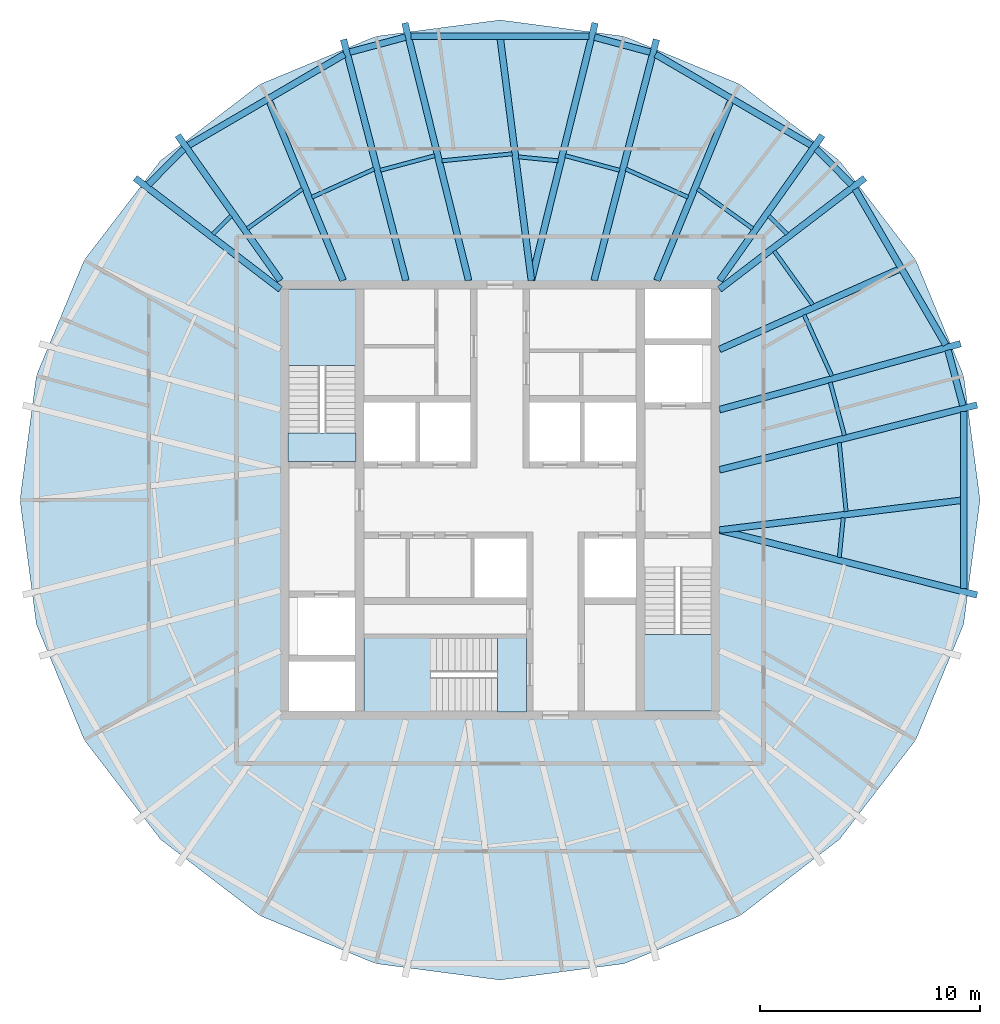
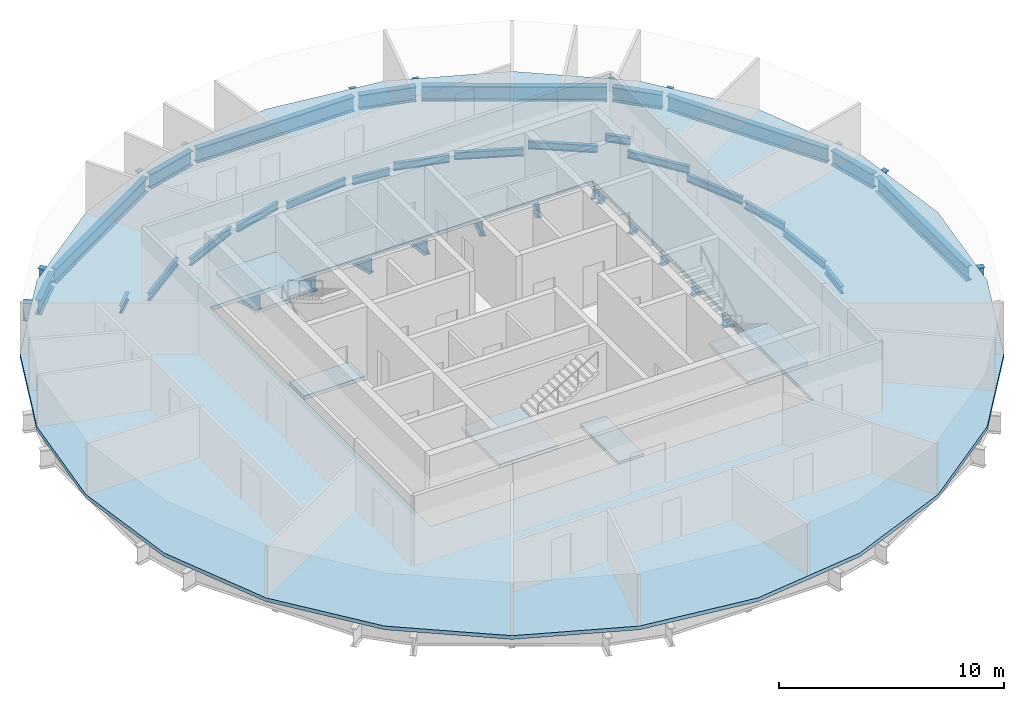
# One storey, part 2 of 7: 41 beams, 6 slabs, 3 elements without a shape of their own.
"""IFC4 building model written with IfcOpenShell, lengths in metres."""

from ifc_helpers import new_model, si_unit, direction, frame, origin, origin_2d, place, context, subcontext, project, spatial, polyline, i_section, outline, extrude, material, layer, layer_set, material_profile, profile_set, type_object, element, aggregate, save


model = new_model("IFC4")

# Units and contexts
model_context = context("Model", 3, precision=1e-05, world=origin(), true_north=direction((0.0, 1.0)))
body_context = subcontext(model_context, "Body", "Model", "MODEL_VIEW")
ifc_project = project(units=[si_unit("LENGTHUNIT", "METRE"), si_unit("AREAUNIT", "SQUARE_METRE"), si_unit("VOLUMEUNIT", "CUBIC_METRE"), si_unit("PLANEANGLEUNIT", "RADIAN"), si_unit("MASSUNIT", "GRAM", prefix="KILO")], contexts=[model_context])

# Site, building, storey
site_placement = place(None, origin())
site = spatial("IfcSite", under=ifc_project, at=site_placement, CompositionType="ELEMENT")
building_placement = place(site_placement, origin())
building = spatial("IfcBuilding", under=site, at=building_placement, Name="Golbaran Civic Tower", CompositionType="ELEMENT")
storey_placement = place(building_placement, frame((0.0, 0.0, 268.0)))
storey = spatial("IfcBuildingStorey", under=building, at=storey_placement, Name="L65", CompositionType="ELEMENT", Elevation=268.0)

# Beams
ifc_material_1 = material(Name="Steel S355", Category="steel")
ifc_material_profile_1 = material_profile(ifc_material_1, i_section(OverallWidth=0.300048828125, OverallDepth=0.800048828125, WebThickness=0.017578125, FlangeThickness=0.032958984375, FilletRadius=0.030029296875, at=origin_2d()), Name="HEB 800")
ifc_profile_set_1 = profile_set([ifc_material_profile_1], Name="Steel S355")
beam_type_1 = type_object("IfcBeamType", Name="EDGE BEAM HEB 800", PredefinedType="BEAM", material=ifc_profile_set_1)
beam_1_placement = place(storey_placement, frame((21.078857421875, 4.299560546875, -0.60009765625), z_axis=(-0.258992659124, 0.965879289829, 0.0), x_axis=(-0.965879289829, -0.258992659124, 0.0)))
element("IfcBeam", 1, at=beam_1_placement, inside=storey, type_object=beam_type_1, Name="Edge beam 11.33 L65", PredefinedType="BEAM", context=body_context, shape_type="SweptSolid", body=[
    extrude(i_section(OverallWidth=0.300048828125, OverallDepth=0.800048828125, WebThickness=0.017578125, FlangeThickness=0.032958984375, FilletRadius=0.030029296875, at=origin_2d()), origin(), (0.0, 0.0, 1.0), 2.615966796875),
])
beam_2_placement = place(storey_placement, frame((20.300048828125, 7.06787109375, -0.60009765625), z_axis=(-0.502921471552, 0.864332108308, 0.0), x_axis=(-0.864332108308, -0.502921471552, 0.0)))
element("IfcBeam", 2, at=beam_2_placement, inside=storey, type_object=beam_type_1, Name="Edge beam 18.67 L65", PredefinedType="BEAM", context=body_context, shape_type="SweptSolid", body=[
    extrude(i_section(OverallWidth=0.300048828125, OverallDepth=0.800048828125, WebThickness=0.017578125, FlangeThickness=0.032958984375, FilletRadius=0.030029296875, at=origin_2d()), origin(), (0.0, 0.0, 1.0), 8.20361328125),
])
beam_3_placement = place(storey_placement, frame((16.015869140625, 14.364501953125, -0.60009765625), z_axis=(-0.706414088255, 0.707798796209, 0.0), x_axis=(-0.707798796209, -0.706414088255, 0.0)))
element("IfcBeam", 3, at=beam_3_placement, inside=storey, type_object=beam_type_1, Name="Edge beam 41.33 L65", PredefinedType="BEAM", context=body_context, shape_type="SweptSolid", body=[
    extrude(i_section(OverallWidth=0.300048828125, OverallDepth=0.800048828125, WebThickness=0.017578125, FlangeThickness=0.032958984375, FilletRadius=0.030029296875, at=origin_2d()), origin(), (0.0, 0.0, 1.0), 2.2919921875),
])
beam_4_placement = place(storey_placement, frame((14.19091796875, 16.14599609375, -0.60009765625), z_axis=(-0.863649754301, 0.50409235453, 0.0), x_axis=(-0.50409235453, -0.863649754301, 0.0)))
element("IfcBeam", 4, at=beam_4_placement, inside=storey, type_object=beam_type_1, Name="Edge beam 48.67 L65", PredefinedType="BEAM", context=body_context, shape_type="SweptSolid", body=[
    extrude(i_section(OverallWidth=0.300048828125, OverallDepth=0.800048828125, WebThickness=0.017578125, FlangeThickness=0.032958984375, FilletRadius=0.030029296875, at=origin_2d()), origin(), (0.0, 0.0, 1.0), 8.2294921875),
])
beam_5_placement = place(storey_placement, frame((6.84130859375, 20.396240234375, -0.60009765625), z_axis=(-0.965745754414, 0.259490149776, 0.0), x_axis=(-0.259490149776, -0.965745754414, 0.0)))
element("IfcBeam", 5, at=beam_5_placement, inside=storey, type_object=beam_type_1, Name="Edge beam 71.33 L65", PredefinedType="BEAM", context=body_context, shape_type="SweptSolid", body=[
    extrude(i_section(OverallWidth=0.300048828125, OverallDepth=0.800048828125, WebThickness=0.017578125, FlangeThickness=0.032958984375, FilletRadius=0.030029296875, at=origin_2d()), origin(), (0.0, 0.0, 1.0), 2.626953125),
])
beam_6_placement = place(storey_placement, frame((4.044921875, 21.111572265625, -0.60009765625), z_axis=(-1.0, 0.0, 0.0), x_axis=(0.0, -1.0, 0.0)))
element("IfcBeam", 6, at=beam_6_placement, inside=storey, type_object=beam_type_1, Name="Edge beam 78.67 L65", PredefinedType="BEAM", context=body_context, shape_type="SweptSolid", body=[
    extrude(i_section(OverallWidth=0.300048828125, OverallDepth=0.800048828125, WebThickness=0.017578125, FlangeThickness=0.032958984375, FilletRadius=0.030029296875, at=origin_2d()), origin(), (0.0, 0.0, 1.0), 8.08984375),
])
beam_7_placement = place(storey_placement, frame((-4.304443359375, 21.077880859375, -0.60009765625), z_axis=(-0.965745754414, -0.259490149776, 0.0), x_axis=(0.259490149776, -0.965745754414, 0.0)))
element("IfcBeam", 7, at=beam_7_placement, inside=storey, type_object=beam_type_1, Name="Edge beam 101.33 L65", PredefinedType="BEAM", context=body_context, shape_type="SweptSolid", body=[
    extrude(i_section(OverallWidth=0.300048828125, OverallDepth=0.800048828125, WebThickness=0.017578125, FlangeThickness=0.032958984375, FilletRadius=0.030029296875, at=origin_2d()), origin(), (0.0, 0.0, 1.0), 2.626953125),
])
beam_8_placement = place(storey_placement, frame((-7.08349609375, 20.29443359375, -0.60009765625), z_axis=(-0.863649754301, -0.50409235453, 0.0), x_axis=(0.50409235453, -0.863649754301, 0.0)))
element("IfcBeam", 8, at=beam_8_placement, inside=storey, type_object=beam_type_1, Name="Edge beam 108.67 L65", PredefinedType="BEAM", context=body_context, shape_type="SweptSolid", body=[
    extrude(i_section(OverallWidth=0.300048828125, OverallDepth=0.800048828125, WebThickness=0.017578125, FlangeThickness=0.032958984375, FilletRadius=0.030029296875, at=origin_2d()), origin(), (0.0, 0.0, 1.0), 8.2294921875),
])
beam_9_placement = place(storey_placement, frame((-14.396728515625, 15.98681640625, -0.60009765625), z_axis=(-0.706414088255, -0.707798796209, 0.0), x_axis=(0.707798796209, -0.706414088255, 0.0)))
element("IfcBeam", 9, at=beam_9_placement, inside=storey, type_object=beam_type_1, Name="Edge beam 131.33 L65", PredefinedType="BEAM", context=body_context, shape_type="SweptSolid", body=[
    extrude(i_section(OverallWidth=0.300048828125, OverallDepth=0.800048828125, WebThickness=0.017578125, FlangeThickness=0.032958984375, FilletRadius=0.030029296875, at=origin_2d()), origin(), (0.0, 0.0, 1.0), 2.2919921875),
])
beam_10_placement = place(storey_placement, frame((21.112548828125, -4.0400390625, -0.60009765625), z_axis=(0.0, 1.0, 0.0), x_axis=(-1.0, 0.0, 0.0)))
element("IfcBeam", 10, at=beam_10_placement, inside=storey, type_object=beam_type_1, Name="Edge beam 348.67 L65", PredefinedType="BEAM", context=body_context, shape_type="SweptSolid", body=[
    extrude(i_section(OverallWidth=0.300048828125, OverallDepth=0.800048828125, WebThickness=0.017578125, FlangeThickness=0.032958984375, FilletRadius=0.030029296875, at=origin_2d()), origin(), (0.0, 0.0, 1.0), 8.080078125),
])
ifc_material_profile_2 = material_profile(ifc_material_1, i_section(OverallWidth=0.179931640625, OverallDepth=0.39990234375, WebThickness=0.008544921875, FlangeThickness=0.013427734375, FilletRadius=0.02099609375, at=origin_2d()), Name="IPE 400")
ifc_profile_set_2 = profile_set([ifc_material_profile_2], Name="Steel S355")
beam_type_2 = type_object("IfcBeamType", Name="FLOOR INFILL BEAM IPE 400", PredefinedType="BEAM", material=ifc_profile_set_2)
beam_11_placement = place(storey_placement, frame((15.761962890625, -0.529296875, -0.39990234375), z_axis=(-0.09869194854, 0.995118032845, 0.0), x_axis=(-0.995118032845, -0.09869194854, 0.0)))
element("IfcBeam", 11, at=beam_11_placement, inside=storey, type_object=beam_type_2, Name="Infill beam 5.67 L65", PredefinedType="BEAM", context=body_context, shape_type="SweptSolid", body=[
    extrude(i_section(OverallWidth=0.179931640625, OverallDepth=0.39990234375, WebThickness=0.008544921875, FlangeThickness=0.013427734375, FilletRadius=0.02099609375, at=origin_2d()), origin(), (0.0, 0.0, 1.0), 3.156494140625),
])
beam_12_placement = place(storey_placement, frame((15.686767578125, 2.939697265625, -0.39990234375), z_axis=(-0.258857919749, 0.965915409021, 0.0), x_axis=(-0.965915409021, -0.258857919749, 0.0)))
element("IfcBeam", 12, at=beam_12_placement, inside=storey, type_object=beam_type_2, Name="Infill beam 15.00 L65", PredefinedType="BEAM", context=body_context, shape_type="SweptSolid", body=[
    extrude(i_section(OverallWidth=0.179931640625, OverallDepth=0.39990234375, WebThickness=0.008544921875, FlangeThickness=0.013427734375, FilletRadius=0.02099609375, at=origin_2d()), origin(), (0.0, 0.0, 1.0), 2.504150390625),
])
beam_13_placement = place(storey_placement, frame((15.108642578125, 5.647216796875, -0.39990234375), z_axis=(-0.412057383587, 0.911157896652, 0.0), x_axis=(-0.911157896652, -0.412057383587, 0.0)))
element("IfcBeam", 13, at=beam_13_placement, inside=storey, type_object=beam_type_2, Name="Infill beam 24.33 L65", PredefinedType="BEAM", context=body_context, shape_type="SweptSolid", body=[
    extrude(i_section(OverallWidth=0.179931640625, OverallDepth=0.39990234375, WebThickness=0.008544921875, FlangeThickness=0.013427734375, FilletRadius=0.02099609375, at=origin_2d()), origin(), (0.0, 0.0, 1.0), 3.057373046875),
])
beam_14_placement = place(storey_placement, frame((14.239501953125, 8.891845703125, -0.39990234375), z_axis=(-0.583070880212, 0.812421287664, 0.0), x_axis=(-0.812421287664, -0.583070880212, 0.0)))
element("IfcBeam", 14, at=beam_14_placement, inside=storey, type_object=beam_type_2, Name="Infill beam 35.67 L65", PredefinedType="BEAM", context=body_context, shape_type="SweptSolid", body=[
    extrude(i_section(OverallWidth=0.179931640625, OverallDepth=0.39990234375, WebThickness=0.008544921875, FlangeThickness=0.013427734375, FilletRadius=0.02099609375, at=origin_2d()), origin(), (0.0, 0.0, 1.0), 3.00927734375),
])
beam_15_placement = place(storey_placement, frame((13.075439453125, 12.11572265625, -0.39990234375), z_axis=(-0.707210683438, 0.707002863666, 0.0), x_axis=(-0.707002863666, -0.707210683438, 0.0)))
element("IfcBeam", 15, at=beam_15_placement, inside=storey, type_object=beam_type_2, Name="Infill beam 45.00 L65", PredefinedType="BEAM", context=body_context, shape_type="SweptSolid", body=[
    extrude(i_section(OverallWidth=0.179931640625, OverallDepth=0.39990234375, WebThickness=0.008544921875, FlangeThickness=0.013427734375, FilletRadius=0.02099609375, at=origin_2d()), origin(), (0.0, 0.0, 1.0), 1.1748046875),
])
beam_16_placement = place(storey_placement, frame((11.509521484375, 12.357666015625, -0.39990234375), z_axis=(-0.812440704579, 0.58304382472, 0.0), x_axis=(-0.58304382472, -0.812440704579, 0.0)))
element("IfcBeam", 16, at=beam_16_placement, inside=storey, type_object=beam_type_2, Name="Infill beam 54.33 L65", PredefinedType="BEAM", context=body_context, shape_type="SweptSolid", body=[
    extrude(i_section(OverallWidth=0.179931640625, OverallDepth=0.39990234375, WebThickness=0.008544921875, FlangeThickness=0.013427734375, FilletRadius=0.02099609375, at=origin_2d()), origin(), (0.0, 0.0, 1.0), 3.0927734375),
])
beam_17_placement = place(storey_placement, frame((8.56298828125, 13.7900390625, -0.39990234375), z_axis=(-0.911161309546, 0.412049836776, 0.0), x_axis=(-0.412049836776, -0.911161309546, 0.0)))
element("IfcBeam", 17, at=beam_17_placement, inside=storey, type_object=beam_type_2, Name="Infill beam 65.67 L65", PredefinedType="BEAM", context=body_context, shape_type="SweptSolid", body=[
    extrude(i_section(OverallWidth=0.179931640625, OverallDepth=0.39990234375, WebThickness=0.008544921875, FlangeThickness=0.013427734375, FilletRadius=0.02099609375, at=origin_2d()), origin(), (0.0, 0.0, 1.0), 3.107177734375),
])
beam_18_placement = place(storey_placement, frame((5.44873046875, 15.01416015625, -0.39990234375), z_axis=(-0.965917074027, 0.258851706779, 0.0), x_axis=(-0.258851706779, -0.965917074027, 0.0)))
element("IfcBeam", 18, at=beam_18_placement, inside=storey, type_object=beam_type_2, Name="Infill beam 75.00 L65", PredefinedType="BEAM", context=body_context, shape_type="SweptSolid", body=[
    extrude(i_section(OverallWidth=0.179931640625, OverallDepth=0.39990234375, WebThickness=0.008544921875, FlangeThickness=0.013427734375, FilletRadius=0.02099609375, at=origin_2d()), origin(), (0.0, 0.0, 1.0), 2.568359375),
])
beam_19_placement = place(storey_placement, frame((2.642822265625, 15.44677734375, -0.39990234375), z_axis=(-0.9951154454, 0.098718034454, 0.0), x_axis=(-0.098718034454, -0.9951154454, 0.0)))
element("IfcBeam", 19, at=beam_19_placement, inside=storey, type_object=beam_type_2, Name="Infill beam 84.33 L65", PredefinedType="BEAM", context=body_context, shape_type="SweptSolid", body=[
    extrude(i_section(OverallWidth=0.179931640625, OverallDepth=0.39990234375, WebThickness=0.008544921875, FlangeThickness=0.013427734375, FilletRadius=0.02099609375, at=origin_2d()), origin(), (0.0, 0.0, 1.0), 1.815185546875),
])
beam_20_placement = place(storey_placement, frame((0.556396484375, 15.76416015625, -0.39990234375), z_axis=(-0.995115078392, -0.098721733967, 0.0), x_axis=(0.098721733967, -0.995115078392, 0.0)))
element("IfcBeam", 20, at=beam_20_placement, inside=storey, type_object=beam_type_2, Name="Infill beam 95.67 L65", PredefinedType="BEAM", context=body_context, shape_type="SweptSolid", body=[
    extrude(i_section(OverallWidth=0.179931640625, OverallDepth=0.39990234375, WebThickness=0.008544921875, FlangeThickness=0.013427734375, FilletRadius=0.02099609375, at=origin_2d()), origin(), (0.0, 0.0, 1.0), 3.21484375),
])
beam_21_placement = place(storey_placement, frame((-2.968017578125, 15.678955078125, -0.39990234375), z_axis=(-0.965917074027, -0.258851706779, 0.0), x_axis=(0.258851706779, -0.965917074027, 0.0)))
element("IfcBeam", 21, at=beam_21_placement, inside=storey, type_object=beam_type_2, Name="Infill beam 105.00 L65", PredefinedType="BEAM", context=body_context, shape_type="SweptSolid", body=[
    extrude(i_section(OverallWidth=0.179931640625, OverallDepth=0.39990234375, WebThickness=0.008544921875, FlangeThickness=0.013427734375, FilletRadius=0.02099609375, at=origin_2d()), origin(), (0.0, 0.0, 1.0), 2.568359375),
])
beam_22_placement = place(storey_placement, frame((-5.73193359375, 15.0703125, -0.39990234375), z_axis=(-0.911161309546, -0.412049836776, 0.0), x_axis=(0.412049836776, -0.911161309546, 0.0)))
element("IfcBeam", 22, at=beam_22_placement, inside=storey, type_object=beam_type_2, Name="Infill beam 114.33 L65", PredefinedType="BEAM", context=body_context, shape_type="SweptSolid", body=[
    extrude(i_section(OverallWidth=0.179931640625, OverallDepth=0.39990234375, WebThickness=0.008544921875, FlangeThickness=0.013427734375, FilletRadius=0.02099609375, at=origin_2d()), origin(), (0.0, 0.0, 1.0), 3.107177734375),
])
beam_23_placement = place(storey_placement, frame((-8.996826171875, 14.160888671875, -0.39990234375), z_axis=(-0.812440704579, -0.58304382472, 0.0), x_axis=(0.58304382472, -0.812440704579, 0.0)))
element("IfcBeam", 23, at=beam_23_placement, inside=storey, type_object=beam_type_2, Name="Infill beam 125.67 L65", PredefinedType="BEAM", context=body_context, shape_type="SweptSolid", body=[
    extrude(i_section(OverallWidth=0.179931640625, OverallDepth=0.39990234375, WebThickness=0.008544921875, FlangeThickness=0.013427734375, FilletRadius=0.02099609375, at=origin_2d()), origin(), (0.0, 0.0, 1.0), 3.0927734375),
])
beam_24_placement = place(storey_placement, frame((-12.24462890625, 12.9462890625, -0.39990234375), z_axis=(-0.707210683438, -0.707002863666, 0.0), x_axis=(0.707002863666, -0.707210683438, 0.0)))
element("IfcBeam", 24, at=beam_24_placement, inside=storey, type_object=beam_type_2, Name="Infill beam 135.00 L65", PredefinedType="BEAM", context=body_context, shape_type="SweptSolid", body=[
    extrude(i_section(OverallWidth=0.179931640625, OverallDepth=0.39990234375, WebThickness=0.008544921875, FlangeThickness=0.013427734375, FilletRadius=0.02099609375, at=origin_2d()), origin(), (0.0, 0.0, 1.0), 1.1748046875),
])
beam_25_placement = place(storey_placement, frame((15.450439453125, -2.61181640625, -0.39990234375), z_axis=(0.098703742979, 0.995116863048, 0.0), x_axis=(-0.995116863048, 0.098703742979, 0.0)))
element("IfcBeam", 25, at=beam_25_placement, inside=storey, type_object=beam_type_2, Name="Infill beam 354.33 L65", PredefinedType="BEAM", context=body_context, shape_type="SweptSolid", body=[
    extrude(i_section(OverallWidth=0.179931640625, OverallDepth=0.39990234375, WebThickness=0.008544921875, FlangeThickness=0.013427734375, FilletRadius=0.02099609375, at=origin_2d()), origin(), (0.0, 0.0, 1.0), 1.81298828125),
])
ifc_material_profile_3 = material_profile(ifc_material_1, i_section(OverallWidth=0.300048828125, OverallDepth=1.0, WebThickness=0.01904296875, FlangeThickness=0.035888671875, FilletRadius=0.030029296875, at=origin_2d()), Name="HEB 1000")
ifc_profile_set_3 = profile_set([ifc_material_profile_3], Name="Steel S355")
beam_type_3 = type_object("IfcBeamType", Name="RADIAL FLOOR BEAM HEB 1000", PredefinedType="BEAM", material=ifc_profile_set_3)
beam_26_placement = place(storey_placement, frame((10.0, 1.371337890625, -0.7099609375), z_axis=(0.969637910778, 0.24454513281, 0.0), x_axis=(-0.24454513281, 0.969637910778, 0.0)))
element("IfcBeam", 26, at=beam_26_placement, inside=storey, type_object=beam_type_3, Name="Radial beam 11.33 L65", PredefinedType="BEAM", context=body_context, shape_type="SweptSolid", body=[
    extrude(i_section(OverallWidth=0.300048828125, OverallDepth=1.0, WebThickness=0.01904296875, FlangeThickness=0.035888671875, FilletRadius=0.030029296875, at=origin_2d()), origin(), (0.0, 0.0, 1.0), 12.0888671875),
])
beam_27_placement = place(storey_placement, frame((10.0, 4.1142578125, -0.7099609375), z_axis=(0.964530693018, 0.263970722291, 0.0), x_axis=(-0.263970722291, 0.964530693018, 0.0)))
element("IfcBeam", 27, at=beam_27_placement, inside=storey, type_object=beam_type_3, Name="Radial beam 18.67 L65", PredefinedType="BEAM", context=body_context, shape_type="SweptSolid", body=[
    extrude(i_section(OverallWidth=0.300048828125, OverallDepth=1.0, WebThickness=0.01904296875, FlangeThickness=0.035888671875, FilletRadius=0.030029296875, at=origin_2d()), origin(), (0.0, 0.0, 1.0), 11.376953125),
])
beam_28_placement = place(storey_placement, frame((10.0, 9.60009765625, -0.7099609375), z_axis=(0.794329542942, 0.607487100447, 0.0), x_axis=(-0.607487100447, 0.794329542942, 0.0)))
element("IfcBeam", 28, at=beam_28_placement, inside=storey, type_object=beam_type_3, Name="Radial beam 41.33 L65", PredefinedType="BEAM", context=body_context, shape_type="SweptSolid", body=[
    extrude(i_section(OverallWidth=0.300048828125, OverallDepth=1.0, WebThickness=0.01904296875, FlangeThickness=0.035888671875, FilletRadius=0.030029296875, at=origin_2d()), origin(), (0.0, 0.0, 1.0), 8.32861328125),
])
beam_29_placement = place(storey_placement, frame((10.0, 10.0, -0.7099609375), z_axis=(0.577728538232, 0.816228972845, 0.0), x_axis=(-0.816228972845, 0.577728538232, 0.0)))
element("IfcBeam", 29, at=beam_29_placement, inside=storey, type_object=beam_type_3, Name="Radial beam 48.67 L65", PredefinedType="BEAM", context=body_context, shape_type="SweptSolid", body=[
    extrude(i_section(OverallWidth=0.300048828125, OverallDepth=1.0, WebThickness=0.01904296875, FlangeThickness=0.035888671875, FilletRadius=0.030029296875, at=origin_2d()), origin(), (0.0, 0.0, 1.0), 8.093017578125),
])
beam_30_placement = place(storey_placement, frame((4.28564453125, 10.0, -0.7099609375), z_axis=(0.250491804214, 0.968118720004, 0.0), x_axis=(-0.968118720004, 0.250491804214, 0.0)))
element("IfcBeam", 30, at=beam_30_placement, inside=storey, type_object=beam_type_3, Name="Radial beam 71.33 L65", PredefinedType="BEAM", context=body_context, shape_type="SweptSolid", body=[
    extrude(i_section(OverallWidth=0.300048828125, OverallDepth=1.0, WebThickness=0.01904296875, FlangeThickness=0.035888671875, FilletRadius=0.030029296875, at=origin_2d()), origin(), (0.0, 0.0, 1.0), 11.331298828125),
])
for number, where, z_axis, x_axis, name in (
    (31, (1.428466796875, 10.0, -0.7099609375), (0.240284884834, 0.970702412751, 0.0), (-0.970702412751, 0.240284884834, 0.0), "Radial beam 78.67 L65"),
    (32, (-1.428466796875, 10.0, -0.7099609375), (-0.240284884834, 0.970702412751, 0.0), (-0.970702412751, -0.240284884834, 0.0), "Radial beam 101.33 L65"),
):
    element("IfcBeam", number, at=place(storey_placement, frame(where, z_axis=z_axis, x_axis=x_axis)), inside=storey, type_object=beam_type_3, Name=name, PredefinedType="BEAM", context=body_context, shape_type="SweptSolid", body=[
        extrude(i_section(OverallWidth=0.300048828125, OverallDepth=1.0, WebThickness=0.01904296875, FlangeThickness=0.035888671875, FilletRadius=0.030029296875, at=origin_2d()), origin(), (0.0, 0.0, 1.0), 12.07568359375),
    ])
beam_31_placement = place(storey_placement, frame((-4.28564453125, 10.0, -0.7099609375), z_axis=(-0.250491804214, 0.968118720004, 0.0), x_axis=(-0.968118720004, -0.250491804214, 0.0)))
element("IfcBeam", 33, at=beam_31_placement, inside=storey, type_object=beam_type_3, Name="Radial beam 108.67 L65", PredefinedType="BEAM", context=body_context, shape_type="SweptSolid", body=[
    extrude(i_section(OverallWidth=0.300048828125, OverallDepth=1.0, WebThickness=0.01904296875, FlangeThickness=0.035888671875, FilletRadius=0.030029296875, at=origin_2d()), origin(), (0.0, 0.0, 1.0), 11.331298828125),
])
beam_32_placement = place(storey_placement, frame((-10.0, 10.0, -0.7099609375), z_axis=(-0.577728538232, 0.816228972845, 0.0), x_axis=(-0.816228972845, -0.577728538232, 0.0)))
element("IfcBeam", 34, at=beam_32_placement, inside=storey, type_object=beam_type_3, Name="Radial beam 131.33 L65", PredefinedType="BEAM", context=body_context, shape_type="SweptSolid", body=[
    extrude(i_section(OverallWidth=0.300048828125, OverallDepth=1.0, WebThickness=0.01904296875, FlangeThickness=0.035888671875, FilletRadius=0.030029296875, at=origin_2d()), origin(), (0.0, 0.0, 1.0), 8.093017578125),
])
beam_33_placement = place(storey_placement, frame((-10.0, 9.60009765625, -0.7099609375), z_axis=(-0.794329542942, 0.607487100447, 0.0), x_axis=(-0.607487100447, -0.794329542942, 0.0)))
element("IfcBeam", 35, at=beam_33_placement, inside=storey, type_object=beam_type_3, Name="Radial beam 138.67 L65", PredefinedType="BEAM", context=body_context, shape_type="SweptSolid", body=[
    extrude(i_section(OverallWidth=0.300048828125, OverallDepth=1.0, WebThickness=0.01904296875, FlangeThickness=0.035888671875, FilletRadius=0.030029296875, at=origin_2d()), origin(), (0.0, 0.0, 1.0), 8.32861328125),
])
beam_34_placement = place(storey_placement, frame((10.0, -1.371337890625, -0.7099609375), z_axis=(0.969637910778, -0.24454513281, 0.0), x_axis=(0.24454513281, 0.969637910778, 0.0)))
element("IfcBeam", 36, at=beam_34_placement, inside=storey, type_object=beam_type_3, Name="Radial beam 348.67 L65", PredefinedType="BEAM", context=body_context, shape_type="SweptSolid", body=[
    extrude(i_section(OverallWidth=0.300048828125, OverallDepth=1.0, WebThickness=0.01904296875, FlangeThickness=0.035888671875, FilletRadius=0.030029296875, at=origin_2d()), origin(), (0.0, 0.0, 1.0), 12.0888671875),
])
ifc_material_profile_4 = material_profile(ifc_material_1, i_section(OverallWidth=0.300048828125, OverallDepth=1.0, WebThickness=0.01904296875, FlangeThickness=0.035888671875, FilletRadius=0.030029296875, at=origin_2d()), Name="HEB 1000")
ifc_profile_set_4 = profile_set([ifc_material_profile_4], Name="Steel S355")
beam_type_4 = type_object("IfcBeamType", Name="SECONDARY FLOOR BEAM HEB 1000", PredefinedType="BEAM", material=ifc_profile_set_4)
beam_35_placement = place(storey_placement, frame((10.0, -1.371337890625, -0.7099609375), z_axis=(0.99247154965, 0.12247539808, 0.0), x_axis=(-0.12247539808, 0.99247154965, 0.0)))
element("IfcBeam", 37, at=beam_35_placement, inside=storey, type_object=beam_type_4, Name="Secondary beam 0.00 L65", PredefinedType="BEAM", context=body_context, shape_type="SweptSolid", body=[
    extrude(i_section(OverallWidth=0.300048828125, OverallDepth=1.0, WebThickness=0.01904296875, FlangeThickness=0.035888671875, FilletRadius=0.030029296875, at=origin_2d()), origin(), (0.0, 0.0, 1.0), 11.19677734375),
])
beam_36_placement = place(storey_placement, frame((10.0, 6.857177734375, -0.7099609375), z_axis=(0.913158120932, 0.407605503123, 0.0), x_axis=(-0.407605503123, 0.913158120932, 0.0)))
element("IfcBeam", 38, at=beam_36_placement, inside=storey, type_object=beam_type_4, Name="Secondary beam 30.00 L65", PredefinedType="BEAM", context=body_context, shape_type="SweptSolid", body=[
    extrude(i_section(OverallWidth=0.300048828125, OverallDepth=1.0, WebThickness=0.01904296875, FlangeThickness=0.035888671875, FilletRadius=0.030029296875, at=origin_2d()), origin(), (0.0, 0.0, 1.0), 9.060546875),
])
beam_37_placement = place(storey_placement, frame((7.142822265625, 10.0, -0.7099609375), z_axis=(0.380773140304, 0.924668489581, 0.0), x_axis=(-0.924668489581, 0.380773140304, 0.0)))
element("IfcBeam", 39, at=beam_37_placement, inside=storey, type_object=beam_type_4, Name="Secondary beam 60.00 L65", PredefinedType="BEAM", context=body_context, shape_type="SweptSolid", body=[
    extrude(i_section(OverallWidth=0.300048828125, OverallDepth=1.0, WebThickness=0.01904296875, FlangeThickness=0.035888671875, FilletRadius=0.030029296875, at=origin_2d()), origin(), (0.0, 0.0, 1.0), 8.945556640625),
])
beam_38_placement = place(storey_placement, frame((1.428466796875, 10.0, -0.7099609375), z_axis=(-0.127507348428, 0.991837625873, 0.0), x_axis=(-0.991837625873, -0.127507348428, 0.0)))
element("IfcBeam", 40, at=beam_38_placement, inside=storey, type_object=beam_type_4, Name="Secondary beam 90.00 L65", PredefinedType="BEAM", context=body_context, shape_type="SweptSolid", body=[
    extrude(i_section(OverallWidth=0.300048828125, OverallDepth=1.0, WebThickness=0.01904296875, FlangeThickness=0.035888671875, FilletRadius=0.030029296875, at=origin_2d()), origin(), (0.0, 0.0, 1.0), 11.203125),
])
beam_39_placement = place(storey_placement, frame((-7.142822265625, 10.0, -0.7099609375), z_axis=(-0.380773140304, 0.924668489581, 0.0), x_axis=(-0.924668489581, -0.380773140304, 0.0)))
element("IfcBeam", 41, at=beam_39_placement, inside=storey, type_object=beam_type_4, Name="Secondary beam 120.00 L65", PredefinedType="BEAM", context=body_context, shape_type="SweptSolid", body=[
    extrude(i_section(OverallWidth=0.300048828125, OverallDepth=1.0, WebThickness=0.01904296875, FlangeThickness=0.035888671875, FilletRadius=0.030029296875, at=origin_2d()), origin(), (0.0, 0.0, 1.0), 8.945556640625),
])

# Slab
ifc_material_2 = material(Name="Concrete LC30/33 lightweight on steel deck", Category="concrete")
ifc_layer_1 = layer(ifc_material_2, 0.199951171875, Name="Concrete LC30/33 lightweight on steel deck")
ifc_layer_set_1 = layer_set([ifc_layer_1], Name="Concrete LC30/33 lightweight on steel deck")
slab_type_1 = type_object("IfcSlabType", Name="COMPOSITE FLOOR SLAB 200", PredefinedType="FLOOR", material=ifc_layer_set_1)
slab_1_placement = place(storey_placement, frame((0.0, 0.0, -0.199951171875)))
element("IfcSlab", 42, at=slab_1_placement, inside=storey, type_object=slab_type_1, Name="Floor slab L65", PredefinedType="FLOOR", context=body_context, shape_type="SweptSolid", body=[
    extrude(outline(polyline([(18.929931640625, -10.92919921875), (15.4560546875, -15.4560546875), (10.92919921875, -18.929931640625), (5.6572265625, -21.113525390625), (0.0, -21.8583984375), (-5.6572265625, -21.113525390625), (-10.92919921875, -18.929931640625), (-15.4560546875, -15.4560546875), (-18.929931640625, -10.92919921875), (-21.113525390625, -5.6572265625), (-21.8583984375, 0.0), (-21.113525390625, 5.6572265625), (-18.929931640625, 10.92919921875), (-15.4560546875, 15.4560546875), (-10.92919921875, 18.929931640625), (-5.6572265625, 21.113525390625), (0.0, 21.8583984375), (5.6572265625, 21.113525390625), (10.92919921875, 18.929931640625), (15.4560546875, 15.4560546875), (18.929931640625, 10.92919921875), (21.113525390625, 5.6572265625), (21.8583984375, 0.0), (21.113525390625, -5.6572265625), (18.929931640625, -10.92919921875)]), holes=[polyline([(-9.800048828125, 9.800048828125), (-9.800048828125, -9.800048828125), (9.800048828125, -9.800048828125), (9.800048828125, 9.800048828125), (-9.800048828125, 9.800048828125)])]), origin(), (0.0, 0.0, 1.0), 0.199951171875),
])

# Stair, slab
ifc_material_3 = material(Name="Concrete C35/45", Category="concrete")
stair_type_1 = type_object("IfcStairType", Name="EXIT STAIR 3000 x 7850, 4000 RISE", PredefinedType="HALF_TURN_STAIR", material=ifc_material_3)
stair_1_placement = place(storey_placement, origin())
stair_1 = element("IfcStair", 43, at=stair_1_placement, inside=storey, type_object=stair_type_1, Name="Stair S1 L65", PredefinedType="HALF_TURN_STAIR")
ifc_layer_2 = layer(ifc_material_3, 0.199951171875, Name="Concrete C35/45")
ifc_layer_set_2 = layer_set([ifc_layer_2], Name="Concrete C35/45")
slab_type_2 = type_object("IfcSlabType", Name="STAIR LANDING 200", PredefinedType="LANDING", material=ifc_layer_set_2)
slab_2_placement = place(storey_placement, frame((0.0, 0.0, 1.800048828125)))
slab_2 = element("IfcSlab", 44, at=slab_2_placement, type_object=slab_type_2, Name="ST30078-40 landing 1", PredefinedType="LANDING", context=body_context, shape_type="SweptSolid", body=[
    extrude(outline(polyline([(-9.64990234375, 6.125), (-9.64990234375, 9.60009765625), (-6.550048828125, 9.60009765625), (-6.550048828125, 6.125), (-9.64990234375, 6.125)])), origin(), (0.0, 0.0, 1.0), 0.199951171875),
])
aggregate(stair_1, [slab_2])

# Slab
slab_3_placement = place(storey_placement, frame((0.0, 0.0, -0.199951171875)))
element("IfcSlab", 45, at=slab_3_placement, inside=storey, type_object=slab_type_2, Name="Stair S1 floor landing L65", PredefinedType="LANDING", context=body_context, shape_type="SweptSolid", body=[
    extrude(outline(polyline([(-9.64990234375, 1.75), (-9.64990234375, 3.054931640625), (-6.550048828125, 3.054931640625), (-6.550048828125, 1.75), (-9.64990234375, 1.75)])), origin(), (0.0, 0.0, 1.0), 0.199951171875),
])

# Stair, slab
stair_2_placement = place(storey_placement, origin())
stair_2 = element("IfcStair", 46, at=stair_2_placement, inside=storey, type_object=stair_type_1, Name="Stair S2 L65", PredefinedType="HALF_TURN_STAIR")
slab_4_placement = place(storey_placement, frame((0.0, 0.0, 1.800048828125)))
slab_4 = element("IfcSlab", 47, at=slab_4_placement, type_object=slab_type_2, Name="ST30078-40 landing 1", PredefinedType="LANDING", context=body_context, shape_type="SweptSolid", body=[
    extrude(outline(polyline([(9.64990234375, -6.125), (9.64990234375, -9.60009765625), (6.550048828125, -9.60009765625), (6.550048828125, -6.125), (9.64990234375, -6.125)])), origin(), (0.0, 0.0, 1.0), 0.199951171875),
])
aggregate(stair_2, [slab_4])

stair_type_2 = type_object("IfcStairType", Name="EXIT STAIR 3300 x 7400, 4000 RISE", PredefinedType="HALF_TURN_STAIR", material=ifc_material_3)
stair_3_placement = place(storey_placement, origin())
stair_3 = element("IfcStair", 48, at=stair_3_placement, inside=storey, type_object=stair_type_2, Name="Stair S3 L65", PredefinedType="HALF_TURN_STAIR")
slab_5_placement = place(storey_placement, frame((0.0, 0.0, 1.800048828125)))
slab_5 = element("IfcSlab", 49, at=slab_5_placement, type_object=slab_type_2, Name="ST33074-40 landing 1", PredefinedType="LANDING", context=body_context, shape_type="SweptSolid", body=[
    extrude(outline(polyline([(-3.175048828125, -9.64990234375), (-6.199951171875, -9.64990234375), (-6.199951171875, -6.25), (-3.175048828125, -6.25), (-3.175048828125, -9.64990234375)])), origin(), (0.0, 0.0, 1.0), 0.199951171875),
])
aggregate(stair_3, [slab_5])

# Slab
slab_6_placement = place(storey_placement, frame((0.0, 0.0, -0.199951171875)))
element("IfcSlab", 50, at=slab_6_placement, inside=storey, type_object=slab_type_2, Name="Stair S3 floor landing L65", PredefinedType="LANDING", context=body_context, shape_type="SweptSolid", body=[
    extrude(outline(polyline([(1.199951171875, -9.64990234375), (-0.10498046875, -9.64990234375), (-0.10498046875, -6.25), (1.199951171875, -6.25), (1.199951171875, -9.64990234375)])), origin(), (0.0, 0.0, 1.0), 0.199951171875),
])

save(model, "model.ifc")
